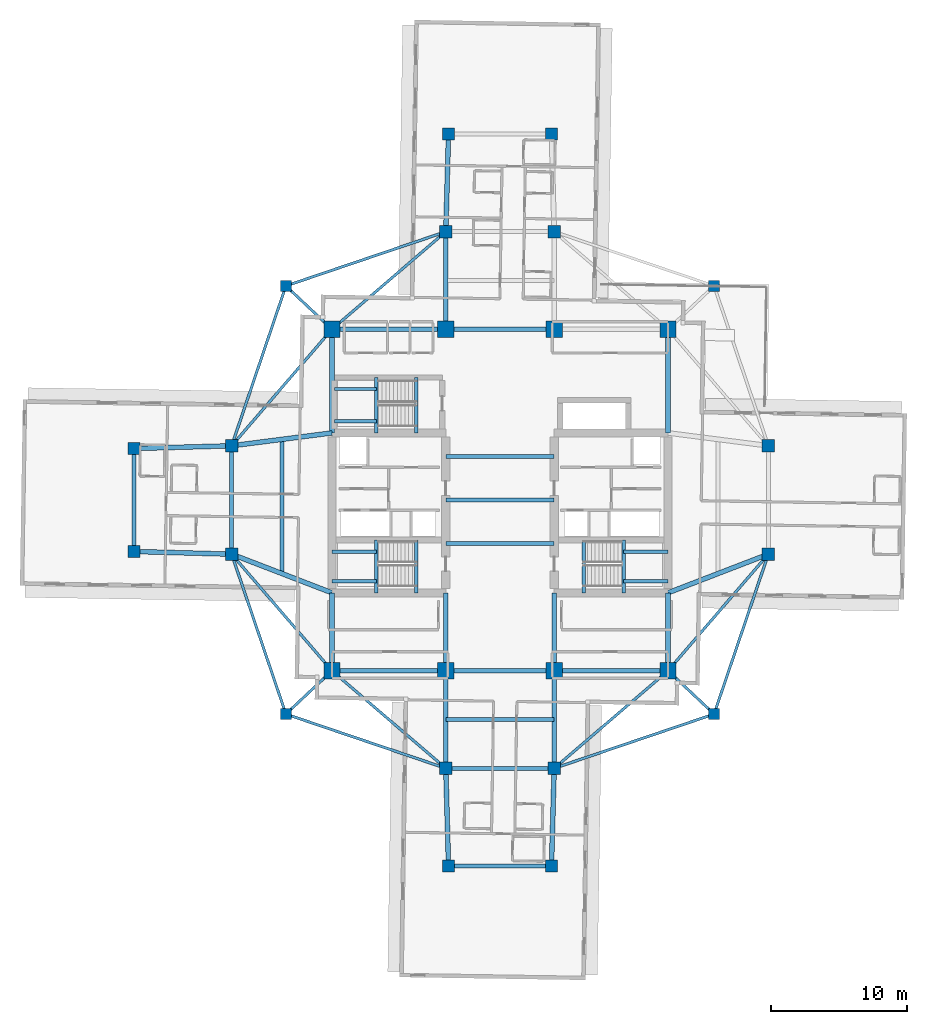
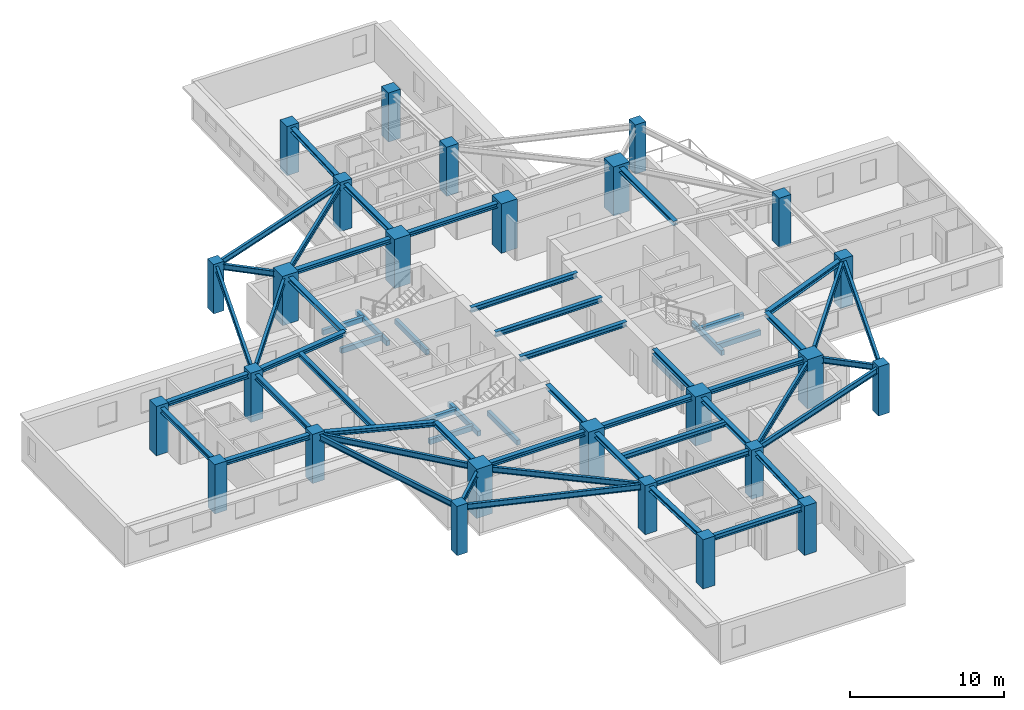
# One storey, part 1 of 13: 58 beams, 26 columns.
"""IFC4 building model written with IfcOpenShell, lengths in metres."""

from ifc_helpers import new_model, si_unit, direction, frame, origin, origin_2d, place, context, subcontext, project, spatial, rectangle, i_section, extrude, material, material_profile, profile_set, type_object, element, save


model = new_model("IFC4")

# Units and contexts
model_context = context("Model", 3, precision=1e-05, world=origin(), true_north=direction((0.0, 1.0)))
body_context = subcontext(model_context, "Body", "Model", "MODEL_VIEW")
ifc_project = project(units=[si_unit("LENGTHUNIT", "METRE"), si_unit("AREAUNIT", "SQUARE_METRE"), si_unit("VOLUMEUNIT", "CUBIC_METRE"), si_unit("PLANEANGLEUNIT", "RADIAN"), si_unit("MASSUNIT", "GRAM", prefix="KILO")], contexts=[model_context])

# Site, building, storey
site_placement = place(None, origin())
site = spatial("IfcSite", under=ifc_project, at=site_placement, CompositionType="ELEMENT")
building_placement = place(site_placement, origin())
building = spatial("IfcBuilding", under=site, at=building_placement, Name="Qingluan Cross Belvedere", CompositionType="ELEMENT")
storey_placement = place(building_placement, frame((0.0, 0.0, 180.0)))
storey = spatial("IfcBuildingStorey", under=building, at=storey_placement, Name="L45", CompositionType="ELEMENT", Elevation=180.0)

# Columns
ifc_material_1 = material(Name="Concrete C60", Category="concrete")
ifc_material_profile_1 = material_profile(ifc_material_1, rectangle(XDim=1.199951171875, YDim=1.199951171875, at=origin_2d()), Name="RC1200x1200")
ifc_profile_set_1 = profile_set([ifc_material_profile_1], Name="Concrete C60")
column_type_1 = type_object("IfcColumnType", Name="Column_RC1200x1200", PredefinedType="COLUMN", material=ifc_profile_set_1)
for number, where, z_axis, x_axis, name in (
    (1, (-12.39990234375, -12.60009765625, 0.0), (0.0, 0.0, 1.0), (1.0, 0.0, 0.0), "Hub column L45-HC1"),
    (2, (12.39990234375, -12.60009765625, 0.0), (0.0, 0.0, 1.0), (1.0, 0.0, 0.0), "Hub column L45-HC2"),
    (3, (12.39990234375, 12.60009765625, 0.0), (0.0, 0.0, 1.0), (1.0, 0.0, 0.0), "Hub column L45-HC3"),
    (4, (-12.39990234375, 12.60009765625, 0.0), (0.0, 0.0, 1.0), (1.0, 0.0, 0.0), "Hub column L45-HC4"),
    (5, (-4.0, -12.60009765625, 0.0), (0.0, 0.0, 1.0), (1.0, 0.0, 0.0), "Hub column L45-HC5"),
    (6, (4.0, -12.60009765625, 0.0), (0.0, 0.0, 1.0), (1.0, 0.0, 0.0), "Hub column L45-HC6"),
    (7, (4.0, 12.60009765625, 0.0), (0.0, 0.0, 1.0), (1.0, 0.0, 0.0), "Hub column L45-HC7"),
    (8, (-4.0, 12.60009765625, 0.0), (0.0, 0.0, 1.0), (1.0, 0.0, 0.0), "Hub column L45-HC8"),
):
    element("IfcColumn", number, at=place(storey_placement, frame(where, z_axis=z_axis, x_axis=x_axis)), inside=storey, type_object=column_type_1, Name=name, PredefinedType="COLUMN", context=body_context, shape_type="SweptSolid", body=[
        extrude(rectangle(XDim=1.199951171875, YDim=1.199951171875, at=origin_2d()), origin(), (0.0, 0.0, 1.0), 3.89990234375),
    ])
ifc_material_2 = material(Name="Concrete C50", Category="concrete")
ifc_material_profile_2 = material_profile(ifc_material_2, rectangle(XDim=0.800048828125, YDim=0.800048828125, at=origin_2d()), Name="RC800x800")
ifc_profile_set_2 = profile_set([ifc_material_profile_2], Name="Concrete C50")
column_type_2 = type_object("IfcColumnType", Name="Column_RC800x800", PredefinedType="COLUMN", material=ifc_profile_set_2)
for number, where, z_axis, x_axis, name in (
    (9, (15.800048828125, 15.800048828125, 0.0), (0.0, 0.0, 1.0), (1.0, 0.0, 0.0), "Corner column L45-RNE"),
    (10, (-15.800048828125, 15.800048828125, 0.0), (0.0, 0.0, 1.0), (1.0, 0.0, 0.0), "Corner column L45-RNW"),
    (11, (-15.800048828125, -15.800048828125, 0.0), (0.0, 0.0, 1.0), (1.0, 0.0, 0.0), "Corner column L45-RSW"),
    (12, (15.800048828125, -15.800048828125, 0.0), (0.0, 0.0, 1.0), (1.0, 0.0, 0.0), "Corner column L45-RSE"),
):
    element("IfcColumn", number, at=place(storey_placement, frame(where, z_axis=z_axis, x_axis=x_axis)), inside=storey, type_object=column_type_2, Name=name, PredefinedType="COLUMN", context=body_context, shape_type="SweptSolid", body=[
        extrude(rectangle(XDim=0.800048828125, YDim=0.800048828125, at=origin_2d()), origin(), (0.0, 0.0, 1.0), 3.89990234375),
    ])
ifc_material_3 = material(Name="Concrete C50", Category="concrete")
ifc_material_profile_3 = material_profile(ifc_material_3, rectangle(XDim=0.89990234375, YDim=0.89990234375, at=origin_2d()), Name="RC900x900")
ifc_profile_set_3 = profile_set([ifc_material_profile_3], Name="Concrete C50")
column_type_3 = type_object("IfcColumnType", Name="Column_RC900x900", PredefinedType="COLUMN", material=ifc_profile_set_3)
for number, where, z_axis, x_axis, name in (
    (13, (19.800048828125, -4.0, 0.0), (0.0, 0.0, 1.0), (1.0, 0.0, 0.0), "Arm column L45-EIA"),
    (14, (19.800048828125, 4.0, 0.0), (0.0, 0.0, 1.0), (1.0, 0.0, 0.0), "Arm column L45-EIB"),
    (15, (-19.800048828125, -4.0, 0.0), (0.0, 0.0, 1.0), (1.0, 0.0, 0.0), "Arm column L45-WIA"),
    (16, (-19.800048828125, 4.0, 0.0), (0.0, 0.0, 1.0), (1.0, 0.0, 0.0), "Arm column L45-WIB"),
    (17, (-4.0, -19.800048828125, 0.0), (0.0, 0.0, 1.0), (1.0, 0.0, 0.0), "Arm column L45-SIA"),
    (18, (4.0, -19.800048828125, 0.0), (0.0, 0.0, 1.0), (1.0, 0.0, 0.0), "Arm column L45-SIB"),
    (19, (-4.0, 19.800048828125, 0.0), (0.0, 0.0, 1.0), (1.0, 0.0, 0.0), "Arm column L45-NIA"),
    (20, (4.0, 19.800048828125, 0.0), (0.0, 0.0, 1.0), (1.0, 0.0, 0.0), "Arm column L45-NIB"),
    (21, (-27.0, -3.800048828125, 0.0), (0.0, 0.0, 1.0), (1.0, 0.0, 0.0), "Arm column L45-WOA"),
    (22, (-27.0, 3.800048828125, 0.0), (0.0, 0.0, 1.0), (1.0, 0.0, 0.0), "Arm column L45-WOB"),
    (23, (-3.800048828125, -27.0, 0.0), (0.0, 0.0, 1.0), (1.0, 0.0, 0.0), "Arm column L45-SOA"),
    (24, (3.800048828125, -27.0, 0.0), (0.0, 0.0, 1.0), (1.0, 0.0, 0.0), "Arm column L45-SOB"),
    (25, (-3.800048828125, 27.0, 0.0), (0.0, 0.0, 1.0), (1.0, 0.0, 0.0), "Arm column L45-NOA"),
    (26, (3.800048828125, 27.0, 0.0), (0.0, 0.0, 1.0), (1.0, 0.0, 0.0), "Arm column L45-NOB"),
):
    element("IfcColumn", number, at=place(storey_placement, frame(where, z_axis=z_axis, x_axis=x_axis)), inside=storey, type_object=column_type_3, Name=name, PredefinedType="COLUMN", context=body_context, shape_type="SweptSolid", body=[
        extrude(rectangle(XDim=0.89990234375, YDim=0.89990234375, at=origin_2d()), origin(), (0.0, 0.0, 1.0), 3.89990234375),
    ])

# Beams
ifc_material_4 = material(Name="Concrete C45", Category="concrete")
ifc_material_profile_4 = material_profile(ifc_material_4, rectangle(XDim=0.25, YDim=0.39990234375, at=origin_2d()), Name="RC250x400")
ifc_profile_set_4 = profile_set([ifc_material_profile_4], Name="Concrete C45")
beam_type_1 = type_object("IfcBeamType", Name="RC_Lintel_RC250x400", PredefinedType="LINTEL", material=ifc_profile_set_4)
for number, where, z_axis, x_axis, name in (
    (27, (-6.179931640625, -6.85009765625, -0.199951171875), (0.0, 1.0, 0.0), (-1.0, 0.0, 0.0), "Stair ST1 landing beam L45"),
    (28, (6.179931640625, -6.85009765625, -0.199951171875), (0.0, 1.0, 0.0), (-1.0, 0.0, 0.0), "Stair ST2 landing beam L45"),
):
    element("IfcBeam", number, at=place(storey_placement, frame(where, z_axis=z_axis, x_axis=x_axis)), inside=storey, type_object=beam_type_1, Name=name, PredefinedType="LINTEL", context=body_context, shape_type="SweptSolid", body=[
        extrude(rectangle(XDim=0.25, YDim=0.39990234375, at=origin_2d()), origin(), (0.0, 0.0, 1.0), 3.89013671875),
    ])
beam_1_placement = place(storey_placement, frame((-6.179931640625, 4.949951171875, -0.199951171875), z_axis=(0.0, 1.0, 0.0), x_axis=(-1.0, 0.0, 0.0)))
element("IfcBeam", 29, at=beam_1_placement, inside=storey, type_object=beam_type_1, Name="Stair ST3 landing beam L45", PredefinedType="LINTEL", context=body_context, shape_type="SweptSolid", body=[
    extrude(rectangle(XDim=0.25, YDim=0.39990234375, at=origin_2d()), origin(), (0.0, 0.0, 1.0), 4.090087890625),
])
beam_2_placement = place(storey_placement, frame((-9.1298828125, -6.85009765625, 1.550048828125), z_axis=(0.0, 1.0, 0.0), x_axis=(-1.0, 0.0, 0.0)))
element("IfcBeam", 30, at=beam_2_placement, inside=storey, type_object=beam_type_1, Name="Stair ST1 beam A L45", PredefinedType="LINTEL", context=body_context, shape_type="SweptSolid", body=[
    extrude(rectangle(XDim=0.25, YDim=0.39990234375, at=origin_2d()), origin(), (0.0, 0.0, 1.0), 3.89013671875),
])
for number, where, z_axis, x_axis, name in (
    (31, (-12.39990234375, -6.0, 1.550048828125), (1.0, 0.0, 0.0), (0.0, 1.0, 0.0), "Stair ST1 beam B L45"),
    (32, (-12.39990234375, -3.81005859375, 1.550048828125), (1.0, 0.0, 0.0), (0.0, 1.0, 0.0), "Stair ST1 beam C L45"),
):
    element("IfcBeam", number, at=place(storey_placement, frame(where, z_axis=z_axis, x_axis=x_axis)), inside=storey, type_object=beam_type_1, Name=name, PredefinedType="LINTEL", context=body_context, shape_type="SweptSolid", body=[
        extrude(rectangle(XDim=0.25, YDim=0.39990234375, at=origin_2d()), origin(), (0.0, 0.0, 1.0), 3.27001953125),
    ])
beam_3_placement = place(storey_placement, frame((9.1298828125, -6.85009765625, 1.550048828125), z_axis=(0.0, 1.0, 0.0), x_axis=(-1.0, 0.0, 0.0)))
element("IfcBeam", 33, at=beam_3_placement, inside=storey, type_object=beam_type_1, Name="Stair ST2 beam A L45", PredefinedType="LINTEL", context=body_context, shape_type="SweptSolid", body=[
    extrude(rectangle(XDim=0.25, YDim=0.39990234375, at=origin_2d()), origin(), (0.0, 0.0, 1.0), 3.89013671875),
])
for number, where, z_axis, x_axis, name in (
    (34, (12.39990234375, -6.0, 1.550048828125), (-1.0, 0.0, 0.0), (0.0, -1.0, 0.0), "Stair ST2 beam B L45"),
    (35, (12.39990234375, -3.81005859375, 1.550048828125), (-1.0, 0.0, 0.0), (0.0, -1.0, 0.0), "Stair ST2 beam C L45"),
):
    element("IfcBeam", number, at=place(storey_placement, frame(where, z_axis=z_axis, x_axis=x_axis)), inside=storey, type_object=beam_type_1, Name=name, PredefinedType="LINTEL", context=body_context, shape_type="SweptSolid", body=[
        extrude(rectangle(XDim=0.25, YDim=0.39990234375, at=origin_2d()), origin(), (0.0, 0.0, 1.0), 3.27001953125),
    ])
beam_4_placement = place(storey_placement, frame((-9.1298828125, 4.949951171875, 1.550048828125), z_axis=(0.0, 1.0, 0.0), x_axis=(-1.0, 0.0, 0.0)))
element("IfcBeam", 36, at=beam_4_placement, inside=storey, type_object=beam_type_1, Name="Stair ST3 beam A L45", PredefinedType="LINTEL", context=body_context, shape_type="SweptSolid", body=[
    extrude(rectangle(XDim=0.25, YDim=0.39990234375, at=origin_2d()), origin(), (0.0, 0.0, 1.0), 4.090087890625),
])
for number, where, z_axis, x_axis, name in (
    (37, (-12.219970703125, 5.800048828125, 1.550048828125), (1.0, 0.0, 0.0), (0.0, 1.0, 0.0), "Stair ST3 beam B L45"),
    (38, (-12.219970703125, 8.18994140625, 1.550048828125), (1.0, 0.0, 0.0), (0.0, 1.0, 0.0), "Stair ST3 beam C L45"),
):
    element("IfcBeam", number, at=place(storey_placement, frame(where, z_axis=z_axis, x_axis=x_axis)), inside=storey, type_object=beam_type_1, Name=name, PredefinedType="LINTEL", context=body_context, shape_type="SweptSolid", body=[
        extrude(rectangle(XDim=0.25, YDim=0.39990234375, at=origin_2d()), origin(), (0.0, 0.0, 1.0), 3.090087890625),
    ])
ifc_material_5 = material(Name="Steel Q420GJB", Category="steel")
ifc_material_profile_5 = material_profile(ifc_material_5, i_section(OverallWidth=0.300048828125, OverallDepth=0.389892578125, WebThickness=0.010009765625, FlangeThickness=0.01611328125, FilletRadius=0.01806640625, at=origin_2d()), Name="HM390x300x10x16")
ifc_profile_set_5 = profile_set([ifc_material_profile_5], Name="Steel Q420GJB")
beam_type_2 = type_object("IfcBeamType", Name="Steel_Beam_HM390x300x10x16", PredefinedType="BEAM", material=ifc_profile_set_5)
for number, where, z_axis, x_axis, name in (
    (39, (-4.0, -3.199951171875, 3.5048828125), (1.0, 0.0, 0.0), (0.0, 1.0, 0.0), "Hall beam L45-CH1"),
    (40, (-4.0, 0.0, 3.5048828125), (1.0, 0.0, 0.0), (0.0, 1.0, 0.0), "Hall beam L45-CH2"),
    (41, (-4.0, 3.199951171875, 3.5048828125), (1.0, 0.0, 0.0), (0.0, 1.0, 0.0), "Hall beam L45-CH3"),
    (42, (-19.800048828125, -4.0, 3.5048828125), (0.0, 1.0, 0.0), (-1.0, 0.0, 0.0), "Arm W tie L45"),
):
    element("IfcBeam", number, at=place(storey_placement, frame(where, z_axis=z_axis, x_axis=x_axis)), inside=storey, type_object=beam_type_2, Name=name, PredefinedType="BEAM", context=body_context, shape_type="SweptSolid", body=[
        extrude(i_section(OverallWidth=0.300048828125, OverallDepth=0.389892578125, WebThickness=0.010009765625, FlangeThickness=0.01611328125, FilletRadius=0.01806640625, at=origin_2d()), origin(), (0.0, 0.0, 1.0), 8.0),
    ])
beam_5_placement = place(storey_placement, frame((-16.10009765625, -5.425048828125, 3.5048828125), z_axis=(0.0, 1.0, 0.0), x_axis=(-1.0, 0.0, 0.0)))
element("IfcBeam", 43, at=beam_5_placement, inside=storey, type_object=beam_type_2, Name="Arm W beam L45", PredefinedType="BEAM", context=body_context, shape_type="SweptSolid", body=[
    extrude(i_section(OverallWidth=0.300048828125, OverallDepth=0.389892578125, WebThickness=0.010009765625, FlangeThickness=0.01611328125, FilletRadius=0.01806640625, at=origin_2d()), origin(), (0.0, 0.0, 1.0), 9.900146484375),
])
beam_6_placement = place(storey_placement, frame((-27.0, -3.800048828125, 3.5048828125), z_axis=(0.0, 1.0, 0.0), x_axis=(-1.0, 0.0, 0.0)))
element("IfcBeam", 44, at=beam_6_placement, inside=storey, type_object=beam_type_2, Name="Arm W tip transverse beam L45", PredefinedType="BEAM", context=body_context, shape_type="SweptSolid", body=[
    extrude(i_section(OverallWidth=0.300048828125, OverallDepth=0.389892578125, WebThickness=0.010009765625, FlangeThickness=0.01611328125, FilletRadius=0.01806640625, at=origin_2d()), origin(), (0.0, 0.0, 1.0), 7.60009765625),
])
for number, where, z_axis, x_axis, name in (
    (45, (-4.0, -19.800048828125, 3.5048828125), (1.0, 0.0, 0.0), (0.0, 1.0, 0.0), "Arm S tie L45"),
    (46, (-4.0, -16.199951171875, 3.5048828125), (1.0, 0.0, 0.0), (0.0, 1.0, 0.0), "Arm S beam L45"),
):
    element("IfcBeam", number, at=place(storey_placement, frame(where, z_axis=z_axis, x_axis=x_axis)), inside=storey, type_object=beam_type_2, Name=name, PredefinedType="BEAM", context=body_context, shape_type="SweptSolid", body=[
        extrude(i_section(OverallWidth=0.300048828125, OverallDepth=0.389892578125, WebThickness=0.010009765625, FlangeThickness=0.01611328125, FilletRadius=0.01806640625, at=origin_2d()), origin(), (0.0, 0.0, 1.0), 8.0),
    ])
beam_7_placement = place(storey_placement, frame((-3.800048828125, -27.0, 3.5048828125), z_axis=(1.0, 0.0, 0.0), x_axis=(0.0, 1.0, 0.0)))
element("IfcBeam", 47, at=beam_7_placement, inside=storey, type_object=beam_type_2, Name="Arm S tip transverse beam L45", PredefinedType="BEAM", context=body_context, shape_type="SweptSolid", body=[
    extrude(i_section(OverallWidth=0.300048828125, OverallDepth=0.389892578125, WebThickness=0.010009765625, FlangeThickness=0.01611328125, FilletRadius=0.01806640625, at=origin_2d()), origin(), (0.0, 0.0, 1.0), 7.60009765625),
])
ifc_material_6 = material(Name="Steel Q420GJB", Category="steel")
ifc_material_profile_6 = material_profile(ifc_material_6, i_section(OverallWidth=0.199951171875, OverallDepth=0.449951171875, WebThickness=0.009033203125, FlangeThickness=0.013916015625, FilletRadius=0.01611328125, at=origin_2d()), Name="HN450x200x9x14")
ifc_profile_set_6 = profile_set([ifc_material_profile_6], Name="Steel Q420GJB")
beam_type_3 = type_object("IfcBeamType", Name="Steel_Beam_HN450x200x9x14", PredefinedType="JOIST", material=ifc_profile_set_6)
beam_8_placement = place(storey_placement, frame((-12.39990234375, 12.60009765625, 3.47509765625), z_axis=(-0.728219948308, 0.685343495546, 0.0), x_axis=(-0.685343495546, -0.728219948308, 0.0)))
element("IfcBeam", 48, at=beam_8_placement, inside=storey, type_object=beam_type_3, Name="Corner beam 1 L45-RNW", PredefinedType="JOIST", context=body_context, shape_type="SweptSolid", body=[
    extrude(i_section(OverallWidth=0.199951171875, OverallDepth=0.449951171875, WebThickness=0.009033203125, FlangeThickness=0.013916015625, FilletRadius=0.01611328125, at=origin_2d()), origin(), (0.0, 0.0, 1.0), 4.669189453125),
])
for number, where, z_axis, x_axis, name in (
    (49, (-15.800048828125, 15.800048828125, 3.47509765625), (0.947066283324, 0.321038089628, 0.0), (-0.321038089628, 0.947066283324, 0.0), "Corner beam 2 L45-RNW"),
    (50, (-15.800048828125, 15.800048828125, 3.47509765625), (-0.321038089628, -0.947066283324, 0.0), (0.947066283324, -0.321038089628, 0.0), "Corner beam 3 L45-RNW"),
):
    element("IfcBeam", number, at=place(storey_placement, frame(where, z_axis=z_axis, x_axis=x_axis)), inside=storey, type_object=beam_type_3, Name=name, PredefinedType="JOIST", context=body_context, shape_type="SweptSolid", body=[
        extrude(i_section(OverallWidth=0.199951171875, OverallDepth=0.449951171875, WebThickness=0.009033203125, FlangeThickness=0.013916015625, FilletRadius=0.01611328125, at=origin_2d()), origin(), (0.0, 0.0, 1.0), 12.45947265625),
    ])
beam_9_placement = place(storey_placement, frame((-12.39990234375, 12.60009765625, 3.47509765625), z_axis=(-0.652245077546, -0.75800815221, 0.0), x_axis=(0.75800815221, -0.652245077546, 0.0)))
element("IfcBeam", 51, at=beam_9_placement, inside=storey, type_object=beam_type_3, Name="Corner beam 4 L45-RNW", PredefinedType="JOIST", context=body_context, shape_type="SweptSolid", body=[
    extrude(i_section(OverallWidth=0.199951171875, OverallDepth=0.449951171875, WebThickness=0.009033203125, FlangeThickness=0.013916015625, FilletRadius=0.01611328125, at=origin_2d()), origin(), (0.0, 0.0, 1.0), 11.345703125),
])
beam_10_placement = place(storey_placement, frame((-12.39990234375, 12.60009765625, 3.47509765625), z_axis=(0.759255044656, 0.650793190779, 0.0), x_axis=(-0.650793190779, 0.759255044656, 0.0)))
element("IfcBeam", 52, at=beam_10_placement, inside=storey, type_object=beam_type_3, Name="Corner beam 5 L45-RNW", PredefinedType="JOIST", context=body_context, shape_type="SweptSolid", body=[
    extrude(i_section(OverallWidth=0.199951171875, OverallDepth=0.449951171875, WebThickness=0.009033203125, FlangeThickness=0.013916015625, FilletRadius=0.01611328125, at=origin_2d()), origin(), (0.0, 0.0, 1.0), 11.063232421875),
])
beam_11_placement = place(storey_placement, frame((-12.39990234375, -12.60009765625, 3.47509765625), z_axis=(-0.728219948308, -0.685343495546, 0.0), x_axis=(0.685343495546, -0.728219948308, 0.0)))
element("IfcBeam", 53, at=beam_11_placement, inside=storey, type_object=beam_type_3, Name="Corner beam 1 L45-RSW", PredefinedType="JOIST", context=body_context, shape_type="SweptSolid", body=[
    extrude(i_section(OverallWidth=0.199951171875, OverallDepth=0.449951171875, WebThickness=0.009033203125, FlangeThickness=0.013916015625, FilletRadius=0.01611328125, at=origin_2d()), origin(), (0.0, 0.0, 1.0), 4.669189453125),
])
for number, where, z_axis, x_axis, name in (
    (54, (-15.800048828125, -15.800048828125, 3.47509765625), (0.947066283324, -0.321038089628, 0.0), (0.321038089628, 0.947066283324, 0.0), "Corner beam 2 L45-RSW"),
    (55, (-15.800048828125, -15.800048828125, 3.47509765625), (-0.321038089628, 0.947066283324, 0.0), (-0.947066283324, -0.321038089628, 0.0), "Corner beam 3 L45-RSW"),
):
    element("IfcBeam", number, at=place(storey_placement, frame(where, z_axis=z_axis, x_axis=x_axis)), inside=storey, type_object=beam_type_3, Name=name, PredefinedType="JOIST", context=body_context, shape_type="SweptSolid", body=[
        extrude(i_section(OverallWidth=0.199951171875, OverallDepth=0.449951171875, WebThickness=0.009033203125, FlangeThickness=0.013916015625, FilletRadius=0.01611328125, at=origin_2d()), origin(), (0.0, 0.0, 1.0), 12.45947265625),
    ])
beam_12_placement = place(storey_placement, frame((-12.39990234375, -12.60009765625, 3.47509765625), z_axis=(-0.652245077546, 0.75800815221, 0.0), x_axis=(-0.75800815221, -0.652245077546, 0.0)))
element("IfcBeam", 56, at=beam_12_placement, inside=storey, type_object=beam_type_3, Name="Corner beam 4 L45-RSW", PredefinedType="JOIST", context=body_context, shape_type="SweptSolid", body=[
    extrude(i_section(OverallWidth=0.199951171875, OverallDepth=0.449951171875, WebThickness=0.009033203125, FlangeThickness=0.013916015625, FilletRadius=0.01611328125, at=origin_2d()), origin(), (0.0, 0.0, 1.0), 11.345703125),
])
beam_13_placement = place(storey_placement, frame((-12.39990234375, -12.60009765625, 3.47509765625), z_axis=(0.759255044656, -0.650793190779, 0.0), x_axis=(0.650793190779, 0.759255044656, 0.0)))
element("IfcBeam", 57, at=beam_13_placement, inside=storey, type_object=beam_type_3, Name="Corner beam 5 L45-RSW", PredefinedType="JOIST", context=body_context, shape_type="SweptSolid", body=[
    extrude(i_section(OverallWidth=0.199951171875, OverallDepth=0.449951171875, WebThickness=0.009033203125, FlangeThickness=0.013916015625, FilletRadius=0.01611328125, at=origin_2d()), origin(), (0.0, 0.0, 1.0), 11.063232421875),
])
beam_14_placement = place(storey_placement, frame((12.39990234375, -12.60009765625, 3.47509765625), z_axis=(0.728219948308, -0.685343495546, 0.0), x_axis=(0.685343495546, 0.728219948308, 0.0)))
element("IfcBeam", 58, at=beam_14_placement, inside=storey, type_object=beam_type_3, Name="Corner beam 1 L45-RSE", PredefinedType="JOIST", context=body_context, shape_type="SweptSolid", body=[
    extrude(i_section(OverallWidth=0.199951171875, OverallDepth=0.449951171875, WebThickness=0.009033203125, FlangeThickness=0.013916015625, FilletRadius=0.01611328125, at=origin_2d()), origin(), (0.0, 0.0, 1.0), 4.669189453125),
])
for number, where, z_axis, x_axis, name in (
    (59, (15.800048828125, -15.800048828125, 3.47509765625), (-0.947066283324, -0.321038089628, 0.0), (0.321038089628, -0.947066283324, 0.0), "Corner beam 2 L45-RSE"),
    (60, (15.800048828125, -15.800048828125, 3.47509765625), (0.321038089628, 0.947066283324, 0.0), (-0.947066283324, 0.321038089628, 0.0), "Corner beam 3 L45-RSE"),
):
    element("IfcBeam", number, at=place(storey_placement, frame(where, z_axis=z_axis, x_axis=x_axis)), inside=storey, type_object=beam_type_3, Name=name, PredefinedType="JOIST", context=body_context, shape_type="SweptSolid", body=[
        extrude(i_section(OverallWidth=0.199951171875, OverallDepth=0.449951171875, WebThickness=0.009033203125, FlangeThickness=0.013916015625, FilletRadius=0.01611328125, at=origin_2d()), origin(), (0.0, 0.0, 1.0), 12.45947265625),
    ])
beam_15_placement = place(storey_placement, frame((12.39990234375, -12.60009765625, 3.47509765625), z_axis=(0.652245077546, 0.75800815221, 0.0), x_axis=(-0.75800815221, 0.652245077546, 0.0)))
element("IfcBeam", 61, at=beam_15_placement, inside=storey, type_object=beam_type_3, Name="Corner beam 4 L45-RSE", PredefinedType="JOIST", context=body_context, shape_type="SweptSolid", body=[
    extrude(i_section(OverallWidth=0.199951171875, OverallDepth=0.449951171875, WebThickness=0.009033203125, FlangeThickness=0.013916015625, FilletRadius=0.01611328125, at=origin_2d()), origin(), (0.0, 0.0, 1.0), 11.345703125),
])
beam_16_placement = place(storey_placement, frame((12.39990234375, -12.60009765625, 3.47509765625), z_axis=(-0.759255044656, -0.650793190779, 0.0), x_axis=(0.650793190779, -0.759255044656, 0.0)))
element("IfcBeam", 62, at=beam_16_placement, inside=storey, type_object=beam_type_3, Name="Corner beam 5 L45-RSE", PredefinedType="JOIST", context=body_context, shape_type="SweptSolid", body=[
    extrude(i_section(OverallWidth=0.199951171875, OverallDepth=0.449951171875, WebThickness=0.009033203125, FlangeThickness=0.013916015625, FilletRadius=0.01611328125, at=origin_2d()), origin(), (0.0, 0.0, 1.0), 11.063232421875),
])
ifc_material_7 = material(Name="Steel Q420GJB", Category="steel")
ifc_material_profile_7 = material_profile(ifc_material_7, i_section(OverallWidth=0.35009765625, OverallDepth=0.35009765625, WebThickness=0.011962890625, FlangeThickness=0.01904296875, FilletRadius=0.02001953125, at=origin_2d()), Name="HW350x350x12x19")
ifc_profile_set_7 = profile_set([ifc_material_profile_7], Name="Steel Q420GJB")
beam_type_4 = type_object("IfcBeamType", Name="Steel_Girder_HW350x350x12x19", PredefinedType="USERDEFINED", material=ifc_profile_set_7)
beam_17_placement = place(storey_placement, frame((-12.39990234375, -12.60009765625, 3.52490234375), z_axis=(1.0, 0.0, 0.0), x_axis=(0.0, 1.0, 0.0)))
element("IfcBeam", 63, at=beam_17_placement, inside=storey, type_object=beam_type_4, Name="Hub girder L45-HG-S1", ObjectType="GIRDER", PredefinedType="USERDEFINED", context=body_context, shape_type="SweptSolid", body=[
    extrude(i_section(OverallWidth=0.35009765625, OverallDepth=0.35009765625, WebThickness=0.011962890625, FlangeThickness=0.01904296875, FilletRadius=0.02001953125, at=origin_2d()), origin(), (0.0, 0.0, 1.0), 8.39990234375),
])
beam_18_placement = place(storey_placement, frame((-4.0, -12.60009765625, 3.52490234375), z_axis=(1.0, 0.0, 0.0), x_axis=(0.0, 1.0, 0.0)))
element("IfcBeam", 64, at=beam_18_placement, inside=storey, type_object=beam_type_4, Name="Hub girder L45-HG-S2", ObjectType="GIRDER", PredefinedType="USERDEFINED", context=body_context, shape_type="SweptSolid", body=[
    extrude(i_section(OverallWidth=0.35009765625, OverallDepth=0.35009765625, WebThickness=0.011962890625, FlangeThickness=0.01904296875, FilletRadius=0.02001953125, at=origin_2d()), origin(), (0.0, 0.0, 1.0), 8.0),
])
for number, where, z_axis, x_axis, name in (
    (65, (4.0, -12.60009765625, 3.52490234375), (1.0, 0.0, 0.0), (0.0, 1.0, 0.0), "Hub girder L45-HG-S3"),
    (66, (-12.39990234375, 12.60009765625, 3.52490234375), (1.0, 0.0, 0.0), (0.0, 1.0, 0.0), "Hub girder L45-HG-N1"),
):
    element("IfcBeam", number, at=place(storey_placement, frame(where, z_axis=z_axis, x_axis=x_axis)), inside=storey, type_object=beam_type_4, Name=name, ObjectType="GIRDER", PredefinedType="USERDEFINED", context=body_context, shape_type="SweptSolid", body=[
        extrude(i_section(OverallWidth=0.35009765625, OverallDepth=0.35009765625, WebThickness=0.011962890625, FlangeThickness=0.01904296875, FilletRadius=0.02001953125, at=origin_2d()), origin(), (0.0, 0.0, 1.0), 8.39990234375),
    ])
beam_19_placement = place(storey_placement, frame((-4.0, 12.60009765625, 3.52490234375), z_axis=(1.0, 0.0, 0.0), x_axis=(0.0, 1.0, 0.0)))
element("IfcBeam", 67, at=beam_19_placement, inside=storey, type_object=beam_type_4, Name="Hub girder L45-HG-N2", ObjectType="GIRDER", PredefinedType="USERDEFINED", context=body_context, shape_type="SweptSolid", body=[
    extrude(i_section(OverallWidth=0.35009765625, OverallDepth=0.35009765625, WebThickness=0.011962890625, FlangeThickness=0.01904296875, FilletRadius=0.02001953125, at=origin_2d()), origin(), (0.0, 0.0, 1.0), 8.0),
])
beam_20_placement = place(storey_placement, frame((-12.39990234375, -12.60009765625, 3.52490234375), z_axis=(0.0, 1.0, 0.0), x_axis=(-1.0, 0.0, 0.0)))
element("IfcBeam", 68, at=beam_20_placement, inside=storey, type_object=beam_type_4, Name="Hub girder L45-HG-W1", ObjectType="GIRDER", PredefinedType="USERDEFINED", context=body_context, shape_type="SweptSolid", body=[
    extrude(i_section(OverallWidth=0.35009765625, OverallDepth=0.35009765625, WebThickness=0.011962890625, FlangeThickness=0.01904296875, FilletRadius=0.02001953125, at=origin_2d()), origin(), (0.0, 0.0, 1.0), 5.75),
])
beam_21_placement = place(storey_placement, frame((-12.39990234375, 4.949951171875, 3.52490234375), z_axis=(0.0, 1.0, 0.0), x_axis=(-1.0, 0.0, 0.0)))
element("IfcBeam", 69, at=beam_21_placement, inside=storey, type_object=beam_type_4, Name="Hub girder L45-HG-W2", ObjectType="GIRDER", PredefinedType="USERDEFINED", context=body_context, shape_type="SweptSolid", body=[
    extrude(i_section(OverallWidth=0.35009765625, OverallDepth=0.35009765625, WebThickness=0.011962890625, FlangeThickness=0.01904296875, FilletRadius=0.02001953125, at=origin_2d()), origin(), (0.0, 0.0, 1.0), 7.650146484375),
])
beam_22_placement = place(storey_placement, frame((12.39990234375, -12.60009765625, 3.52490234375), z_axis=(0.0, 1.0, 0.0), x_axis=(-1.0, 0.0, 0.0)))
element("IfcBeam", 70, at=beam_22_placement, inside=storey, type_object=beam_type_4, Name="Hub girder L45-HG-E1", ObjectType="GIRDER", PredefinedType="USERDEFINED", context=body_context, shape_type="SweptSolid", body=[
    extrude(i_section(OverallWidth=0.35009765625, OverallDepth=0.35009765625, WebThickness=0.011962890625, FlangeThickness=0.01904296875, FilletRadius=0.02001953125, at=origin_2d()), origin(), (0.0, 0.0, 1.0), 5.75),
])
beam_23_placement = place(storey_placement, frame((12.39990234375, 4.949951171875, 3.52490234375), z_axis=(0.0, 1.0, 0.0), x_axis=(-1.0, 0.0, 0.0)))
element("IfcBeam", 71, at=beam_23_placement, inside=storey, type_object=beam_type_4, Name="Hub girder L45-HG-E2", ObjectType="GIRDER", PredefinedType="USERDEFINED", context=body_context, shape_type="SweptSolid", body=[
    extrude(i_section(OverallWidth=0.35009765625, OverallDepth=0.35009765625, WebThickness=0.011962890625, FlangeThickness=0.01904296875, FilletRadius=0.02001953125, at=origin_2d()), origin(), (0.0, 0.0, 1.0), 7.650146484375),
])
for number, where, z_axis, x_axis, name in (
    (72, (-4.0, -12.60009765625, 3.52490234375), (0.0, 1.0, 0.0), (-1.0, 0.0, 0.0), "Hub girder L45-HG-CW"),
    (73, (4.0, -12.60009765625, 3.52490234375), (0.0, 1.0, 0.0), (-1.0, 0.0, 0.0), "Hub girder L45-HG-CE"),
):
    element("IfcBeam", number, at=place(storey_placement, frame(where, z_axis=z_axis, x_axis=x_axis)), inside=storey, type_object=beam_type_4, Name=name, ObjectType="GIRDER", PredefinedType="USERDEFINED", context=body_context, shape_type="SweptSolid", body=[
        extrude(i_section(OverallWidth=0.35009765625, OverallDepth=0.35009765625, WebThickness=0.011962890625, FlangeThickness=0.01904296875, FilletRadius=0.02001953125, at=origin_2d()), origin(), (0.0, 0.0, 1.0), 5.75),
    ])
for number, where, z_axis, x_axis, name in (
    (74, (12.39990234375, -6.85009765625, 3.52490234375), (0.933181258889, 0.359406090735, 0.0), (-0.359406090735, 0.933181258889, 0.0), "Arm E radial girder A L45"),
    (75, (-12.39990234375, -6.85009765625, 3.52490234375), (-0.933181258889, 0.359406090735, 0.0), (-0.359406090735, -0.933181258889, 0.0), "Arm W radial girder A L45"),
):
    element("IfcBeam", number, at=place(storey_placement, frame(where, z_axis=z_axis, x_axis=x_axis)), inside=storey, type_object=beam_type_4, Name=name, ObjectType="GIRDER", PredefinedType="USERDEFINED", context=body_context, shape_type="SweptSolid", body=[
        extrude(i_section(OverallWidth=0.35009765625, OverallDepth=0.35009765625, WebThickness=0.011962890625, FlangeThickness=0.01904296875, FilletRadius=0.02001953125, at=origin_2d()), origin(), (0.0, 0.0, 1.0), 7.929931640625),
    ])
beam_24_placement = place(storey_placement, frame((-12.39990234375, 4.949951171875, 3.52490234375), z_axis=(-0.991861120628, -0.12732445714, 0.0), x_axis=(0.12732445714, -0.991861120628, 0.0)))
element("IfcBeam", 76, at=beam_24_placement, inside=storey, type_object=beam_type_4, Name="Arm W radial girder B L45", ObjectType="GIRDER", PredefinedType="USERDEFINED", context=body_context, shape_type="SweptSolid", body=[
    extrude(i_section(OverallWidth=0.35009765625, OverallDepth=0.35009765625, WebThickness=0.011962890625, FlangeThickness=0.01904296875, FilletRadius=0.02001953125, at=origin_2d()), origin(), (0.0, 0.0, 1.0), 7.4609375),
])
for number, where, z_axis, x_axis, name in (
    (77, (-19.800048828125, -4.0, 3.52490234375), (-0.999614603568, 0.027760481514, 0.0), (-0.027760481514, -0.999614603568, 0.0), "Arm W outer radial girder A L45"),
    (78, (-19.800048828125, 4.0, 3.52490234375), (-0.999614603568, -0.027760481514, 0.0), (0.027760481514, -0.999614603568, 0.0), "Arm W outer radial girder B L45"),
):
    element("IfcBeam", number, at=place(storey_placement, frame(where, z_axis=z_axis, x_axis=x_axis)), inside=storey, type_object=beam_type_4, Name=name, ObjectType="GIRDER", PredefinedType="USERDEFINED", context=body_context, shape_type="SweptSolid", body=[
        extrude(i_section(OverallWidth=0.35009765625, OverallDepth=0.35009765625, WebThickness=0.011962890625, FlangeThickness=0.01904296875, FilletRadius=0.02001953125, at=origin_2d()), origin(), (0.0, 0.0, 1.0), 7.20263671875),
    ])
beam_25_placement = place(storey_placement, frame((-4.0, 12.60009765625, 3.52490234375), z_axis=(0.0, 1.0, 0.0), x_axis=(-1.0, 0.0, 0.0)))
element("IfcBeam", 79, at=beam_25_placement, inside=storey, type_object=beam_type_4, Name="Arm N radial girder A L45", ObjectType="GIRDER", PredefinedType="USERDEFINED", context=body_context, shape_type="SweptSolid", body=[
    extrude(i_section(OverallWidth=0.35009765625, OverallDepth=0.35009765625, WebThickness=0.011962890625, FlangeThickness=0.01904296875, FilletRadius=0.02001953125, at=origin_2d()), origin(), (0.0, 0.0, 1.0), 7.199951171875),
])
beam_26_placement = place(storey_placement, frame((-4.0, 19.800048828125, 3.52490234375), z_axis=(0.027760481514, 0.999614603568, 0.0), x_axis=(-0.999614603568, 0.027760481514, 0.0)))
element("IfcBeam", 80, at=beam_26_placement, inside=storey, type_object=beam_type_4, Name="Arm N outer radial girder A L45", ObjectType="GIRDER", PredefinedType="USERDEFINED", context=body_context, shape_type="SweptSolid", body=[
    extrude(i_section(OverallWidth=0.35009765625, OverallDepth=0.35009765625, WebThickness=0.011962890625, FlangeThickness=0.01904296875, FilletRadius=0.02001953125, at=origin_2d()), origin(), (0.0, 0.0, 1.0), 7.20263671875),
])
for number, where, z_axis, x_axis, name in (
    (81, (-4.0, -12.60009765625, 3.52490234375), (0.0, -1.0, 0.0), (1.0, 0.0, 0.0), "Arm S radial girder A L45"),
    (82, (4.0, -12.60009765625, 3.52490234375), (0.0, -1.0, 0.0), (1.0, 0.0, 0.0), "Arm S radial girder B L45"),
):
    element("IfcBeam", number, at=place(storey_placement, frame(where, z_axis=z_axis, x_axis=x_axis)), inside=storey, type_object=beam_type_4, Name=name, ObjectType="GIRDER", PredefinedType="USERDEFINED", context=body_context, shape_type="SweptSolid", body=[
        extrude(i_section(OverallWidth=0.35009765625, OverallDepth=0.35009765625, WebThickness=0.011962890625, FlangeThickness=0.01904296875, FilletRadius=0.02001953125, at=origin_2d()), origin(), (0.0, 0.0, 1.0), 7.199951171875),
    ])
for number, where, z_axis, x_axis, name in (
    (83, (-4.0, -19.800048828125, 3.52490234375), (0.027760481514, -0.999614603568, 0.0), (0.999614603568, 0.027760481514, 0.0), "Arm S outer radial girder A L45"),
    (84, (4.0, -19.800048828125, 3.52490234375), (-0.027760481514, -0.999614603568, 0.0), (0.999614603568, -0.027760481514, 0.0), "Arm S outer radial girder B L45"),
):
    element("IfcBeam", number, at=place(storey_placement, frame(where, z_axis=z_axis, x_axis=x_axis)), inside=storey, type_object=beam_type_4, Name=name, ObjectType="GIRDER", PredefinedType="USERDEFINED", context=body_context, shape_type="SweptSolid", body=[
        extrude(i_section(OverallWidth=0.35009765625, OverallDepth=0.35009765625, WebThickness=0.011962890625, FlangeThickness=0.01904296875, FilletRadius=0.02001953125, at=origin_2d()), origin(), (0.0, 0.0, 1.0), 7.20263671875),
    ])

save(model, "model.ifc")
